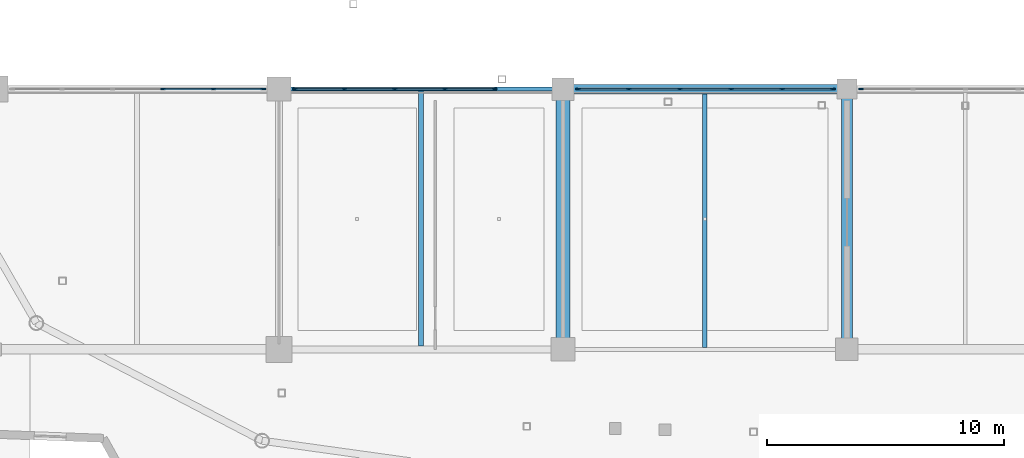
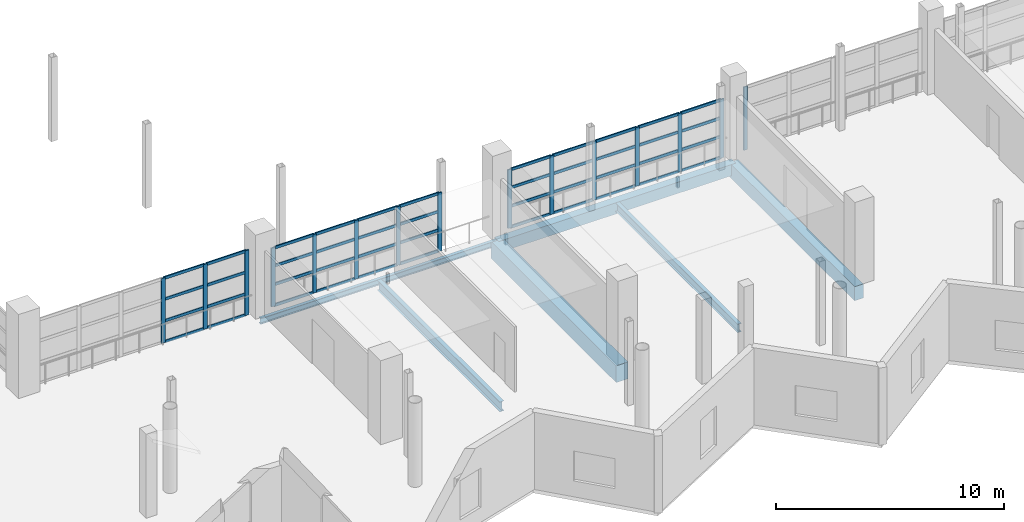
# One storey, part 34 of 118: 59 members, 6 beams, 4 elements without a shape of their own.
"""IFC4 building model written with IfcOpenShell, lengths in metres."""

from ifc_helpers import new_model, si_unit, direction, frame, origin, origin_2d, place, context, subcontext, project, spatial, rectangle, i_section, extrude, material, material_profile, profile_set, type_object, element, aggregate, save


model = new_model("IFC4")

# Units and contexts
model_context = context("Model", 3, precision=1e-05, world=origin(), true_north=direction((0.0, 1.0)))
body_context = subcontext(model_context, "Body", "Model", "MODEL_VIEW")
ifc_project = project(units=[si_unit("LENGTHUNIT", "METRE"), si_unit("AREAUNIT", "SQUARE_METRE"), si_unit("VOLUMEUNIT", "CUBIC_METRE"), si_unit("PLANEANGLEUNIT", "RADIAN"), si_unit("MASSUNIT", "GRAM", prefix="KILO")], contexts=[model_context])

# Site, building, storey
site_placement = place(None, origin())
site = spatial("IfcSite", under=ifc_project, at=site_placement, CompositionType="ELEMENT")
building_placement = place(site_placement, origin())
building = spatial("IfcBuilding", under=site, at=building_placement, Name="Luwafu Chhajja Arena", CompositionType="ELEMENT")
storey_placement = place(building_placement, frame((0.0, 0.0, 10.199951171875)))
storey = spatial("IfcBuildingStorey", under=building, at=storey_placement, Name="L02", CompositionType="ELEMENT", Elevation=10.199951171875)

# Curtain wall, members
ifc_material_1 = material(Name="Anodised bronze aluminium", Category="aluminium")
curtain_wall_type = type_object("IfcCurtainWallType", Name="Hospitality Ring Curtain Wall", PredefinedType="USERDEFINED", material=ifc_material_1)
curtain_wall_1_placement = place(storey_placement, origin())
curtain_wall_1 = element("IfcCurtainWall", 1, at=curtain_wall_1_placement, inside=storey, type_object=curtain_wall_type, Name="L02 Bowl Viewing Curtain Wall CWR-L02-01", ObjectType="CURTAIN WALL", PredefinedType="USERDEFINED")
ifc_material_profile_1 = material_profile(ifc_material_1, rectangle(XDim=0.06494140625, YDim=0.199951171875, at=origin_2d()), Name="CWM 65x200")
ifc_profile_set_1 = profile_set([ifc_material_profile_1], Name="Anodised bronze aluminium")
member_type_1 = type_object("IfcMemberType", Name="Bronze Curtain Wall Mullion 65x200", PredefinedType="MULLION", material=ifc_profile_set_1)
member_1_placement = place(storey_placement, frame((65.092041015625, 22.0, 0.0), z_axis=(0.0, 0.0, 1.0), x_axis=(0.0, 1.0, 0.0)))
member_1 = element("IfcMember", 2, at=member_1_placement, type_object=member_type_1, Name="CW-02 mullion 4", PredefinedType="MULLION", context=body_context, shape_type="SweptSolid", body=[
    extrude(rectangle(XDim=0.06494140625, YDim=0.199951171875, at=origin_2d()), origin(), (0.0, 0.0, 1.0), 3.469970703125),
])
member_2_placement = place(storey_placement, frame((67.22607421875, 22.0, 0.0), z_axis=(0.0, 0.0, 1.0), x_axis=(0.0, 1.0, 0.0)))
member_2 = element("IfcMember", 3, at=member_2_placement, type_object=member_type_1, Name="CW-02 mullion 5", PredefinedType="MULLION", context=body_context, shape_type="SweptSolid", body=[
    extrude(rectangle(XDim=0.06494140625, YDim=0.199951171875, at=origin_2d()), origin(), (0.0, 0.0, 1.0), 3.469970703125),
])
member_3_placement = place(storey_placement, frame((69.327392578125, 22.0, 0.0), z_axis=(0.0, 0.0, 1.0), x_axis=(0.0, 1.0, 0.0)))
member_3 = element("IfcMember", 4, at=member_3_placement, type_object=member_type_1, Name="CW-02 mullion 6", PredefinedType="MULLION", context=body_context, shape_type="SweptSolid", body=[
    extrude(rectangle(XDim=0.06494140625, YDim=0.199951171875, at=origin_2d()), origin(), (0.0, 0.0, 1.0), 3.469970703125),
])

curtain_wall_2_placement = place(storey_placement, origin())
curtain_wall_2 = element("IfcCurtainWall", 5, at=curtain_wall_2_placement, inside=storey, type_object=curtain_wall_type, Name="L02 Bowl Viewing Curtain Wall CWR-L02-02", ObjectType="CURTAIN WALL", PredefinedType="USERDEFINED")
member_4_placement = place(storey_placement, frame((70.672607421875, 22.0, 0.0), z_axis=(0.0, 0.0, 1.0), x_axis=(0.0, 1.0, 0.0)))
member_4 = element("IfcMember", 6, at=member_4_placement, type_object=member_type_1, Name="CW-02 mullion 1", PredefinedType="MULLION", context=body_context, shape_type="SweptSolid", body=[
    extrude(rectangle(XDim=0.06494140625, YDim=0.199951171875, at=origin_2d()), origin(), (0.0, 0.0, 1.0), 3.14013671875),
])
member_5_placement = place(storey_placement, frame((72.763427734375, 22.0, 0.0), z_axis=(0.0, 0.0, 1.0), x_axis=(0.0, 1.0, 0.0)))
member_5 = element("IfcMember", 7, at=member_5_placement, type_object=member_type_1, Name="CW-02 mullion 2", PredefinedType="MULLION", context=body_context, shape_type="SweptSolid", body=[
    extrude(rectangle(XDim=0.06494140625, YDim=0.199951171875, at=origin_2d()), origin(), (0.0, 0.0, 1.0), 3.14013671875),
])
member_6_placement = place(storey_placement, frame((74.88671875, 22.0, 0.0), z_axis=(0.0, 0.0, 1.0), x_axis=(0.0, 1.0, 0.0)))
member_6 = element("IfcMember", 8, at=member_6_placement, type_object=member_type_1, Name="CW-02 mullion 3", PredefinedType="MULLION", context=body_context, shape_type="SweptSolid", body=[
    extrude(rectangle(XDim=0.06494140625, YDim=0.199951171875, at=origin_2d()), origin(), (0.0, 0.0, 1.0), 3.14013671875),
])
member_7_placement = place(storey_placement, frame((77.010009765625, 22.0, 0.0), z_axis=(0.0, 0.0, 1.0), x_axis=(0.0, 1.0, 0.0)))
member_7 = element("IfcMember", 9, at=member_7_placement, type_object=member_type_1, Name="CW-02 mullion 4", PredefinedType="MULLION", context=body_context, shape_type="SweptSolid", body=[
    extrude(rectangle(XDim=0.06494140625, YDim=0.199951171875, at=origin_2d()), origin(), (0.0, 0.0, 1.0), 3.14013671875),
])
member_8_placement = place(storey_placement, frame((79.100830078125, 22.0, 0.0), z_axis=(0.0, 0.0, 1.0), x_axis=(0.0, 1.0, 0.0)))
member_8 = element("IfcMember", 10, at=member_8_placement, type_object=member_type_1, Name="CW-02 mullion 5", PredefinedType="MULLION", context=body_context, shape_type="SweptSolid", body=[
    extrude(rectangle(XDim=0.06494140625, YDim=0.199951171875, at=origin_2d()), origin(), (0.0, 0.0, 1.0), 3.14013671875),
])

curtain_wall_3_placement = place(storey_placement, origin())
curtain_wall_3 = element("IfcCurtainWall", 11, at=curtain_wall_3_placement, inside=storey, type_object=curtain_wall_type, Name="L02 Bowl Viewing Curtain Wall CWR-L02-03", ObjectType="CURTAIN WALL", PredefinedType="USERDEFINED")
member_9_placement = place(storey_placement, frame((82.6474609375, 22.0, 0.0), z_axis=(0.0, 0.0, 1.0), x_axis=(0.0, 1.0, 0.0)))
member_9 = element("IfcMember", 12, at=member_9_placement, type_object=member_type_1, Name="CW-02 mullion 1", PredefinedType="MULLION", context=body_context, shape_type="SweptSolid", body=[
    extrude(rectangle(XDim=0.06494140625, YDim=0.199951171875, at=origin_2d()), origin(), (0.0, 0.0, 1.0), 3.14013671875),
])
member_10_placement = place(storey_placement, frame((84.779052734375, 22.0, 0.0), z_axis=(0.0, 0.0, 1.0), x_axis=(0.0, 1.0, 0.0)))
member_10 = element("IfcMember", 13, at=member_10_placement, type_object=member_type_1, Name="CW-02 mullion 2", PredefinedType="MULLION", context=body_context, shape_type="SweptSolid", body=[
    extrude(rectangle(XDim=0.06494140625, YDim=0.199951171875, at=origin_2d()), origin(), (0.0, 0.0, 1.0), 3.14013671875),
])
member_11_placement = place(storey_placement, frame((86.943115234375, 22.0, 0.0), z_axis=(0.0, 0.0, 1.0), x_axis=(0.0, 1.0, 0.0)))
member_11 = element("IfcMember", 14, at=member_11_placement, type_object=member_type_1, Name="CW-02 mullion 3", PredefinedType="MULLION", context=body_context, shape_type="SweptSolid", body=[
    extrude(rectangle(XDim=0.06494140625, YDim=0.199951171875, at=origin_2d()), origin(), (0.0, 0.0, 1.0), 3.14013671875),
])
member_12_placement = place(storey_placement, frame((89.10693359375, 22.0, 0.0), z_axis=(0.0, 0.0, 1.0), x_axis=(0.0, 1.0, 0.0)))
member_12 = element("IfcMember", 15, at=member_12_placement, type_object=member_type_1, Name="CW-02 mullion 4", PredefinedType="MULLION", context=body_context, shape_type="SweptSolid", body=[
    extrude(rectangle(XDim=0.06494140625, YDim=0.199951171875, at=origin_2d()), origin(), (0.0, 0.0, 1.0), 3.14013671875),
])
member_13_placement = place(storey_placement, frame((91.27099609375, 22.0, 0.0), z_axis=(0.0, 0.0, 1.0), x_axis=(0.0, 1.0, 0.0)))
member_13 = element("IfcMember", 16, at=member_13_placement, type_object=member_type_1, Name="CW-02 mullion 5", PredefinedType="MULLION", context=body_context, shape_type="SweptSolid", body=[
    extrude(rectangle(XDim=0.06494140625, YDim=0.199951171875, at=origin_2d()), origin(), (0.0, 0.0, 1.0), 3.14013671875),
])
member_14_placement = place(storey_placement, frame((93.402587890625, 22.0, 0.0), z_axis=(0.0, 0.0, 1.0), x_axis=(0.0, 1.0, 0.0)))
member_14 = element("IfcMember", 17, at=member_14_placement, type_object=member_type_1, Name="CW-02 mullion 6", PredefinedType="MULLION", context=body_context, shape_type="SweptSolid", body=[
    extrude(rectangle(XDim=0.06494140625, YDim=0.199951171875, at=origin_2d()), origin(), (0.0, 0.0, 1.0), 3.14013671875),
])

# Curtain wall, member
curtain_wall_4_placement = place(storey_placement, origin())
curtain_wall_4 = element("IfcCurtainWall", 18, at=curtain_wall_4_placement, inside=storey, type_object=curtain_wall_type, Name="L02 Bowl Viewing Curtain Wall CWR-L02-04", ObjectType="CURTAIN WALL", PredefinedType="USERDEFINED")
member_15_placement = place(storey_placement, frame((94.597412109375, 22.0, 0.0), z_axis=(0.0, 0.0, 1.0), x_axis=(0.0, 1.0, 0.0)))
member_15 = element("IfcMember", 19, at=member_15_placement, type_object=member_type_1, Name="CW-02 mullion 1", PredefinedType="MULLION", context=body_context, shape_type="SweptSolid", body=[
    extrude(rectangle(XDim=0.06494140625, YDim=0.199951171875, at=origin_2d()), origin(), (0.0, 0.0, 1.0), 3.39013671875),
])
aggregate(curtain_wall_4, [member_15])

# Member
ifc_material_profile_2 = material_profile(ifc_material_1, rectangle(XDim=0.06494140625, YDim=0.14990234375, at=origin_2d()), Name="CWT 65x150")
ifc_profile_set_2 = profile_set([ifc_material_profile_2], Name="Anodised bronze aluminium")
member_type_2 = type_object("IfcMemberType", Name="Bronze Curtain Wall Transom 65x150", PredefinedType="USERDEFINED", material=ifc_profile_set_2)
member_16_placement = place(storey_placement, frame((65.12451171875, 22.0, 0.032470703125), z_axis=(1.0, 0.0, 0.0), x_axis=(0.0, 1.0, 0.0)))
member_16 = element("IfcMember", 20, at=member_16_placement, type_object=member_type_2, Name="CW-02 transom 4.1", ObjectType="TRANSOM", PredefinedType="USERDEFINED", context=body_context, shape_type="SweptSolid", body=[
    extrude(rectangle(XDim=0.06494140625, YDim=0.14990234375, at=origin_2d()), origin(), (0.0, 0.0, 1.0), 2.069091796875),
])

member_17_placement = place(storey_placement, frame((65.12451171875, 22.0, 1.150146484375), z_axis=(1.0, 0.0, 0.0), x_axis=(0.0, 1.0, 0.0)))
member_17 = element("IfcMember", 21, at=member_17_placement, type_object=member_type_2, Name="CW-02 transom 4.2", ObjectType="TRANSOM", PredefinedType="USERDEFINED", context=body_context, shape_type="SweptSolid", body=[
    extrude(rectangle(XDim=0.06494140625, YDim=0.14990234375, at=origin_2d()), origin(), (0.0, 0.0, 1.0), 2.069091796875),
])

member_18_placement = place(storey_placement, frame((65.12451171875, 22.0, 2.31005859375), z_axis=(1.0, 0.0, 0.0), x_axis=(0.0, 1.0, 0.0)))
member_18 = element("IfcMember", 22, at=member_18_placement, type_object=member_type_2, Name="CW-02 transom 4.3", ObjectType="TRANSOM", PredefinedType="USERDEFINED", context=body_context, shape_type="SweptSolid", body=[
    extrude(rectangle(XDim=0.06494140625, YDim=0.14990234375, at=origin_2d()), origin(), (0.0, 0.0, 1.0), 2.069091796875),
])

member_19_placement = place(storey_placement, frame((65.12451171875, 22.0, 3.437255859375), z_axis=(1.0, 0.0, 0.0), x_axis=(0.0, 1.0, 0.0)))
member_19 = element("IfcMember", 23, at=member_19_placement, type_object=member_type_2, Name="CW-02 transom 4.4", ObjectType="TRANSOM", PredefinedType="USERDEFINED", context=body_context, shape_type="SweptSolid", body=[
    extrude(rectangle(XDim=0.06494140625, YDim=0.14990234375, at=origin_2d()), origin(), (0.0, 0.0, 1.0), 2.069091796875),
])

member_20_placement = place(storey_placement, frame((67.258544921875, 22.0, 0.032470703125), z_axis=(1.0, 0.0, 0.0), x_axis=(0.0, 1.0, 0.0)))
member_20 = element("IfcMember", 24, at=member_20_placement, type_object=member_type_2, Name="CW-02 transom 5.1", ObjectType="TRANSOM", PredefinedType="USERDEFINED", context=body_context, shape_type="SweptSolid", body=[
    extrude(rectangle(XDim=0.06494140625, YDim=0.14990234375, at=origin_2d()), origin(), (0.0, 0.0, 1.0), 2.036376953125),
])

member_21_placement = place(storey_placement, frame((67.258544921875, 22.0, 1.150146484375), z_axis=(1.0, 0.0, 0.0), x_axis=(0.0, 1.0, 0.0)))
member_21 = element("IfcMember", 25, at=member_21_placement, type_object=member_type_2, Name="CW-02 transom 5.2", ObjectType="TRANSOM", PredefinedType="USERDEFINED", context=body_context, shape_type="SweptSolid", body=[
    extrude(rectangle(XDim=0.06494140625, YDim=0.14990234375, at=origin_2d()), origin(), (0.0, 0.0, 1.0), 2.036376953125),
])

member_22_placement = place(storey_placement, frame((67.258544921875, 22.0, 2.31005859375), z_axis=(1.0, 0.0, 0.0), x_axis=(0.0, 1.0, 0.0)))
member_22 = element("IfcMember", 26, at=member_22_placement, type_object=member_type_2, Name="CW-02 transom 5.3", ObjectType="TRANSOM", PredefinedType="USERDEFINED", context=body_context, shape_type="SweptSolid", body=[
    extrude(rectangle(XDim=0.06494140625, YDim=0.14990234375, at=origin_2d()), origin(), (0.0, 0.0, 1.0), 2.036376953125),
])

member_23_placement = place(storey_placement, frame((67.258544921875, 22.0, 3.437255859375), z_axis=(1.0, 0.0, 0.0), x_axis=(0.0, 1.0, 0.0)))
member_23 = element("IfcMember", 27, at=member_23_placement, type_object=member_type_2, Name="CW-02 transom 5.4", ObjectType="TRANSOM", PredefinedType="USERDEFINED", context=body_context, shape_type="SweptSolid", body=[
    extrude(rectangle(XDim=0.06494140625, YDim=0.14990234375, at=origin_2d()), origin(), (0.0, 0.0, 1.0), 2.036376953125),
])

aggregate(curtain_wall_1, [member_1, member_2, member_3, member_16, member_17, member_18, member_19, member_20, member_21, member_22, member_23])

member_24_placement = place(storey_placement, frame((70.705078125, 22.0, 0.032470703125), z_axis=(1.0, 0.0, 0.0), x_axis=(0.0, 1.0, 0.0)))
member_24 = element("IfcMember", 28, at=member_24_placement, type_object=member_type_2, Name="CW-02 transom 1.1", ObjectType="TRANSOM", PredefinedType="USERDEFINED", context=body_context, shape_type="SweptSolid", body=[
    extrude(rectangle(XDim=0.06494140625, YDim=0.14990234375, at=origin_2d()), origin(), (0.0, 0.0, 1.0), 2.02587890625),
])

member_25_placement = place(storey_placement, frame((70.705078125, 22.0, 1.150146484375), z_axis=(1.0, 0.0, 0.0), x_axis=(0.0, 1.0, 0.0)))
member_25 = element("IfcMember", 29, at=member_25_placement, type_object=member_type_2, Name="CW-02 transom 1.2", ObjectType="TRANSOM", PredefinedType="USERDEFINED", context=body_context, shape_type="SweptSolid", body=[
    extrude(rectangle(XDim=0.06494140625, YDim=0.14990234375, at=origin_2d()), origin(), (0.0, 0.0, 1.0), 2.02587890625),
])

member_26_placement = place(storey_placement, frame((70.705078125, 22.0, 2.14501953125), z_axis=(1.0, 0.0, 0.0), x_axis=(0.0, 1.0, 0.0)))
member_26 = element("IfcMember", 30, at=member_26_placement, type_object=member_type_2, Name="CW-02 transom 1.3", ObjectType="TRANSOM", PredefinedType="USERDEFINED", context=body_context, shape_type="SweptSolid", body=[
    extrude(rectangle(XDim=0.06494140625, YDim=0.14990234375, at=origin_2d()), origin(), (0.0, 0.0, 1.0), 2.02587890625),
])

member_27_placement = place(storey_placement, frame((70.705078125, 22.0, 3.107666015625), z_axis=(1.0, 0.0, 0.0), x_axis=(0.0, 1.0, 0.0)))
member_27 = element("IfcMember", 31, at=member_27_placement, type_object=member_type_2, Name="CW-02 transom 1.4", ObjectType="TRANSOM", PredefinedType="USERDEFINED", context=body_context, shape_type="SweptSolid", body=[
    extrude(rectangle(XDim=0.06494140625, YDim=0.14990234375, at=origin_2d()), origin(), (0.0, 0.0, 1.0), 2.02587890625),
])

member_28_placement = place(storey_placement, frame((72.7958984375, 22.0, 0.032470703125), z_axis=(1.0, 0.0, 0.0), x_axis=(0.0, 1.0, 0.0)))
member_28 = element("IfcMember", 32, at=member_28_placement, type_object=member_type_2, Name="CW-02 transom 2.1", ObjectType="TRANSOM", PredefinedType="USERDEFINED", context=body_context, shape_type="SweptSolid", body=[
    extrude(rectangle(XDim=0.06494140625, YDim=0.14990234375, at=origin_2d()), origin(), (0.0, 0.0, 1.0), 2.058349609375),
])

member_29_placement = place(storey_placement, frame((72.7958984375, 22.0, 1.150146484375), z_axis=(1.0, 0.0, 0.0), x_axis=(0.0, 1.0, 0.0)))
member_29 = element("IfcMember", 33, at=member_29_placement, type_object=member_type_2, Name="CW-02 transom 2.2", ObjectType="TRANSOM", PredefinedType="USERDEFINED", context=body_context, shape_type="SweptSolid", body=[
    extrude(rectangle(XDim=0.06494140625, YDim=0.14990234375, at=origin_2d()), origin(), (0.0, 0.0, 1.0), 2.058349609375),
])

member_30_placement = place(storey_placement, frame((72.7958984375, 22.0, 2.14501953125), z_axis=(1.0, 0.0, 0.0), x_axis=(0.0, 1.0, 0.0)))
member_30 = element("IfcMember", 34, at=member_30_placement, type_object=member_type_2, Name="CW-02 transom 2.3", ObjectType="TRANSOM", PredefinedType="USERDEFINED", context=body_context, shape_type="SweptSolid", body=[
    extrude(rectangle(XDim=0.06494140625, YDim=0.14990234375, at=origin_2d()), origin(), (0.0, 0.0, 1.0), 2.058349609375),
])

member_31_placement = place(storey_placement, frame((72.7958984375, 22.0, 3.107666015625), z_axis=(1.0, 0.0, 0.0), x_axis=(0.0, 1.0, 0.0)))
member_31 = element("IfcMember", 35, at=member_31_placement, type_object=member_type_2, Name="CW-02 transom 2.4", ObjectType="TRANSOM", PredefinedType="USERDEFINED", context=body_context, shape_type="SweptSolid", body=[
    extrude(rectangle(XDim=0.06494140625, YDim=0.14990234375, at=origin_2d()), origin(), (0.0, 0.0, 1.0), 2.058349609375),
])

member_32_placement = place(storey_placement, frame((74.919189453125, 22.0, 0.032470703125), z_axis=(1.0, 0.0, 0.0), x_axis=(0.0, 1.0, 0.0)))
member_32 = element("IfcMember", 36, at=member_32_placement, type_object=member_type_2, Name="CW-02 transom 3.1", ObjectType="TRANSOM", PredefinedType="USERDEFINED", context=body_context, shape_type="SweptSolid", body=[
    extrude(rectangle(XDim=0.06494140625, YDim=0.14990234375, at=origin_2d()), origin(), (0.0, 0.0, 1.0), 2.058349609375),
])

member_33_placement = place(storey_placement, frame((74.919189453125, 22.0, 1.150146484375), z_axis=(1.0, 0.0, 0.0), x_axis=(0.0, 1.0, 0.0)))
member_33 = element("IfcMember", 37, at=member_33_placement, type_object=member_type_2, Name="CW-02 transom 3.2", ObjectType="TRANSOM", PredefinedType="USERDEFINED", context=body_context, shape_type="SweptSolid", body=[
    extrude(rectangle(XDim=0.06494140625, YDim=0.14990234375, at=origin_2d()), origin(), (0.0, 0.0, 1.0), 2.058349609375),
])

member_34_placement = place(storey_placement, frame((74.919189453125, 22.0, 2.14501953125), z_axis=(1.0, 0.0, 0.0), x_axis=(0.0, 1.0, 0.0)))
member_34 = element("IfcMember", 38, at=member_34_placement, type_object=member_type_2, Name="CW-02 transom 3.3", ObjectType="TRANSOM", PredefinedType="USERDEFINED", context=body_context, shape_type="SweptSolid", body=[
    extrude(rectangle(XDim=0.06494140625, YDim=0.14990234375, at=origin_2d()), origin(), (0.0, 0.0, 1.0), 2.058349609375),
])

member_35_placement = place(storey_placement, frame((74.919189453125, 22.0, 3.107666015625), z_axis=(1.0, 0.0, 0.0), x_axis=(0.0, 1.0, 0.0)))
member_35 = element("IfcMember", 39, at=member_35_placement, type_object=member_type_2, Name="CW-02 transom 3.4", ObjectType="TRANSOM", PredefinedType="USERDEFINED", context=body_context, shape_type="SweptSolid", body=[
    extrude(rectangle(XDim=0.06494140625, YDim=0.14990234375, at=origin_2d()), origin(), (0.0, 0.0, 1.0), 2.058349609375),
])

member_36_placement = place(storey_placement, frame((77.04248046875, 22.0, 0.032470703125), z_axis=(1.0, 0.0, 0.0), x_axis=(0.0, 1.0, 0.0)))
member_36 = element("IfcMember", 40, at=member_36_placement, type_object=member_type_2, Name="CW-02 transom 4.1", ObjectType="TRANSOM", PredefinedType="USERDEFINED", context=body_context, shape_type="SweptSolid", body=[
    extrude(rectangle(XDim=0.06494140625, YDim=0.14990234375, at=origin_2d()), origin(), (0.0, 0.0, 1.0), 2.02587890625),
])

member_37_placement = place(storey_placement, frame((77.04248046875, 22.0, 1.150146484375), z_axis=(1.0, 0.0, 0.0), x_axis=(0.0, 1.0, 0.0)))
member_37 = element("IfcMember", 41, at=member_37_placement, type_object=member_type_2, Name="CW-02 transom 4.2", ObjectType="TRANSOM", PredefinedType="USERDEFINED", context=body_context, shape_type="SweptSolid", body=[
    extrude(rectangle(XDim=0.06494140625, YDim=0.14990234375, at=origin_2d()), origin(), (0.0, 0.0, 1.0), 2.02587890625),
])

member_38_placement = place(storey_placement, frame((77.04248046875, 22.0, 2.14501953125), z_axis=(1.0, 0.0, 0.0), x_axis=(0.0, 1.0, 0.0)))
member_38 = element("IfcMember", 42, at=member_38_placement, type_object=member_type_2, Name="CW-02 transom 4.3", ObjectType="TRANSOM", PredefinedType="USERDEFINED", context=body_context, shape_type="SweptSolid", body=[
    extrude(rectangle(XDim=0.06494140625, YDim=0.14990234375, at=origin_2d()), origin(), (0.0, 0.0, 1.0), 2.02587890625),
])

member_39_placement = place(storey_placement, frame((77.04248046875, 22.0, 3.107666015625), z_axis=(1.0, 0.0, 0.0), x_axis=(0.0, 1.0, 0.0)))
member_39 = element("IfcMember", 43, at=member_39_placement, type_object=member_type_2, Name="CW-02 transom 4.4", ObjectType="TRANSOM", PredefinedType="USERDEFINED", context=body_context, shape_type="SweptSolid", body=[
    extrude(rectangle(XDim=0.06494140625, YDim=0.14990234375, at=origin_2d()), origin(), (0.0, 0.0, 1.0), 2.02587890625),
])

aggregate(curtain_wall_2, [member_4, member_5, member_6, member_7, member_8, member_24, member_25, member_26, member_27, member_28, member_29, member_30, member_31, member_32, member_33, member_34, member_35, member_36, member_37, member_38, member_39])

member_40_placement = place(storey_placement, frame((82.679931640625, 22.0, 0.032470703125), z_axis=(1.0, 0.0, 0.0), x_axis=(0.0, 1.0, 0.0)))
member_40 = element("IfcMember", 44, at=member_40_placement, type_object=member_type_2, Name="CW-02 transom 1.1", ObjectType="TRANSOM", PredefinedType="USERDEFINED", context=body_context, shape_type="SweptSolid", body=[
    extrude(rectangle(XDim=0.06494140625, YDim=0.14990234375, at=origin_2d()), origin(), (0.0, 0.0, 1.0), 2.066650390625),
])

member_41_placement = place(storey_placement, frame((82.679931640625, 22.0, 1.150146484375), z_axis=(1.0, 0.0, 0.0), x_axis=(0.0, 1.0, 0.0)))
member_41 = element("IfcMember", 45, at=member_41_placement, type_object=member_type_2, Name="CW-02 transom 1.2", ObjectType="TRANSOM", PredefinedType="USERDEFINED", context=body_context, shape_type="SweptSolid", body=[
    extrude(rectangle(XDim=0.06494140625, YDim=0.14990234375, at=origin_2d()), origin(), (0.0, 0.0, 1.0), 2.066650390625),
])

member_42_placement = place(storey_placement, frame((82.679931640625, 22.0, 2.14501953125), z_axis=(1.0, 0.0, 0.0), x_axis=(0.0, 1.0, 0.0)))
member_42 = element("IfcMember", 46, at=member_42_placement, type_object=member_type_2, Name="CW-02 transom 1.3", ObjectType="TRANSOM", PredefinedType="USERDEFINED", context=body_context, shape_type="SweptSolid", body=[
    extrude(rectangle(XDim=0.06494140625, YDim=0.14990234375, at=origin_2d()), origin(), (0.0, 0.0, 1.0), 2.066650390625),
])

member_43_placement = place(storey_placement, frame((82.679931640625, 22.0, 3.107666015625), z_axis=(1.0, 0.0, 0.0), x_axis=(0.0, 1.0, 0.0)))
member_43 = element("IfcMember", 47, at=member_43_placement, type_object=member_type_2, Name="CW-02 transom 1.4", ObjectType="TRANSOM", PredefinedType="USERDEFINED", context=body_context, shape_type="SweptSolid", body=[
    extrude(rectangle(XDim=0.06494140625, YDim=0.14990234375, at=origin_2d()), origin(), (0.0, 0.0, 1.0), 2.066650390625),
])

member_44_placement = place(storey_placement, frame((84.8115234375, 22.0, 0.032470703125), z_axis=(1.0, 0.0, 0.0), x_axis=(0.0, 1.0, 0.0)))
member_44 = element("IfcMember", 48, at=member_44_placement, type_object=member_type_2, Name="CW-02 transom 2.1", ObjectType="TRANSOM", PredefinedType="USERDEFINED", context=body_context, shape_type="SweptSolid", body=[
    extrude(rectangle(XDim=0.06494140625, YDim=0.14990234375, at=origin_2d()), origin(), (0.0, 0.0, 1.0), 2.098876953125),
])

member_45_placement = place(storey_placement, frame((84.8115234375, 22.0, 1.150146484375), z_axis=(1.0, 0.0, 0.0), x_axis=(0.0, 1.0, 0.0)))
member_45 = element("IfcMember", 49, at=member_45_placement, type_object=member_type_2, Name="CW-02 transom 2.2", ObjectType="TRANSOM", PredefinedType="USERDEFINED", context=body_context, shape_type="SweptSolid", body=[
    extrude(rectangle(XDim=0.06494140625, YDim=0.14990234375, at=origin_2d()), origin(), (0.0, 0.0, 1.0), 2.098876953125),
])

member_46_placement = place(storey_placement, frame((84.8115234375, 22.0, 2.14501953125), z_axis=(1.0, 0.0, 0.0), x_axis=(0.0, 1.0, 0.0)))
member_46 = element("IfcMember", 50, at=member_46_placement, type_object=member_type_2, Name="CW-02 transom 2.3", ObjectType="TRANSOM", PredefinedType="USERDEFINED", context=body_context, shape_type="SweptSolid", body=[
    extrude(rectangle(XDim=0.06494140625, YDim=0.14990234375, at=origin_2d()), origin(), (0.0, 0.0, 1.0), 2.098876953125),
])

member_47_placement = place(storey_placement, frame((84.8115234375, 22.0, 3.107666015625), z_axis=(1.0, 0.0, 0.0), x_axis=(0.0, 1.0, 0.0)))
member_47 = element("IfcMember", 51, at=member_47_placement, type_object=member_type_2, Name="CW-02 transom 2.4", ObjectType="TRANSOM", PredefinedType="USERDEFINED", context=body_context, shape_type="SweptSolid", body=[
    extrude(rectangle(XDim=0.06494140625, YDim=0.14990234375, at=origin_2d()), origin(), (0.0, 0.0, 1.0), 2.098876953125),
])

member_48_placement = place(storey_placement, frame((86.9755859375, 22.0, 0.032470703125), z_axis=(1.0, 0.0, 0.0), x_axis=(0.0, 1.0, 0.0)))
member_48 = element("IfcMember", 52, at=member_48_placement, type_object=member_type_2, Name="CW-02 transom 3.1", ObjectType="TRANSOM", PredefinedType="USERDEFINED", context=body_context, shape_type="SweptSolid", body=[
    extrude(rectangle(XDim=0.06494140625, YDim=0.14990234375, at=origin_2d()), origin(), (0.0, 0.0, 1.0), 2.098876953125),
])

member_49_placement = place(storey_placement, frame((86.9755859375, 22.0, 1.150146484375), z_axis=(1.0, 0.0, 0.0), x_axis=(0.0, 1.0, 0.0)))
member_49 = element("IfcMember", 53, at=member_49_placement, type_object=member_type_2, Name="CW-02 transom 3.2", ObjectType="TRANSOM", PredefinedType="USERDEFINED", context=body_context, shape_type="SweptSolid", body=[
    extrude(rectangle(XDim=0.06494140625, YDim=0.14990234375, at=origin_2d()), origin(), (0.0, 0.0, 1.0), 2.098876953125),
])

member_50_placement = place(storey_placement, frame((86.9755859375, 22.0, 2.14501953125), z_axis=(1.0, 0.0, 0.0), x_axis=(0.0, 1.0, 0.0)))
member_50 = element("IfcMember", 54, at=member_50_placement, type_object=member_type_2, Name="CW-02 transom 3.3", ObjectType="TRANSOM", PredefinedType="USERDEFINED", context=body_context, shape_type="SweptSolid", body=[
    extrude(rectangle(XDim=0.06494140625, YDim=0.14990234375, at=origin_2d()), origin(), (0.0, 0.0, 1.0), 2.098876953125),
])

member_51_placement = place(storey_placement, frame((86.9755859375, 22.0, 3.107666015625), z_axis=(1.0, 0.0, 0.0), x_axis=(0.0, 1.0, 0.0)))
member_51 = element("IfcMember", 55, at=member_51_placement, type_object=member_type_2, Name="CW-02 transom 3.4", ObjectType="TRANSOM", PredefinedType="USERDEFINED", context=body_context, shape_type="SweptSolid", body=[
    extrude(rectangle(XDim=0.06494140625, YDim=0.14990234375, at=origin_2d()), origin(), (0.0, 0.0, 1.0), 2.098876953125),
])

member_52_placement = place(storey_placement, frame((89.139404296875, 22.0, 0.032470703125), z_axis=(1.0, 0.0, 0.0), x_axis=(0.0, 1.0, 0.0)))
member_52 = element("IfcMember", 56, at=member_52_placement, type_object=member_type_2, Name="CW-02 transom 4.1", ObjectType="TRANSOM", PredefinedType="USERDEFINED", context=body_context, shape_type="SweptSolid", body=[
    extrude(rectangle(XDim=0.06494140625, YDim=0.14990234375, at=origin_2d()), origin(), (0.0, 0.0, 1.0), 2.09912109375),
])

member_53_placement = place(storey_placement, frame((89.139404296875, 22.0, 1.150146484375), z_axis=(1.0, 0.0, 0.0), x_axis=(0.0, 1.0, 0.0)))
member_53 = element("IfcMember", 57, at=member_53_placement, type_object=member_type_2, Name="CW-02 transom 4.2", ObjectType="TRANSOM", PredefinedType="USERDEFINED", context=body_context, shape_type="SweptSolid", body=[
    extrude(rectangle(XDim=0.06494140625, YDim=0.14990234375, at=origin_2d()), origin(), (0.0, 0.0, 1.0), 2.09912109375),
])

member_54_placement = place(storey_placement, frame((89.139404296875, 22.0, 2.14501953125), z_axis=(1.0, 0.0, 0.0), x_axis=(0.0, 1.0, 0.0)))
member_54 = element("IfcMember", 58, at=member_54_placement, type_object=member_type_2, Name="CW-02 transom 4.3", ObjectType="TRANSOM", PredefinedType="USERDEFINED", context=body_context, shape_type="SweptSolid", body=[
    extrude(rectangle(XDim=0.06494140625, YDim=0.14990234375, at=origin_2d()), origin(), (0.0, 0.0, 1.0), 2.09912109375),
])

member_55_placement = place(storey_placement, frame((89.139404296875, 22.0, 3.107666015625), z_axis=(1.0, 0.0, 0.0), x_axis=(0.0, 1.0, 0.0)))
member_55 = element("IfcMember", 59, at=member_55_placement, type_object=member_type_2, Name="CW-02 transom 4.4", ObjectType="TRANSOM", PredefinedType="USERDEFINED", context=body_context, shape_type="SweptSolid", body=[
    extrude(rectangle(XDim=0.06494140625, YDim=0.14990234375, at=origin_2d()), origin(), (0.0, 0.0, 1.0), 2.09912109375),
])

member_56_placement = place(storey_placement, frame((91.303466796875, 22.0, 0.032470703125), z_axis=(1.0, 0.0, 0.0), x_axis=(0.0, 1.0, 0.0)))
member_56 = element("IfcMember", 60, at=member_56_placement, type_object=member_type_2, Name="CW-02 transom 5.1", ObjectType="TRANSOM", PredefinedType="USERDEFINED", context=body_context, shape_type="SweptSolid", body=[
    extrude(rectangle(XDim=0.06494140625, YDim=0.14990234375, at=origin_2d()), origin(), (0.0, 0.0, 1.0), 2.066650390625),
])

member_57_placement = place(storey_placement, frame((91.303466796875, 22.0, 1.150146484375), z_axis=(1.0, 0.0, 0.0), x_axis=(0.0, 1.0, 0.0)))
member_57 = element("IfcMember", 61, at=member_57_placement, type_object=member_type_2, Name="CW-02 transom 5.2", ObjectType="TRANSOM", PredefinedType="USERDEFINED", context=body_context, shape_type="SweptSolid", body=[
    extrude(rectangle(XDim=0.06494140625, YDim=0.14990234375, at=origin_2d()), origin(), (0.0, 0.0, 1.0), 2.066650390625),
])

member_58_placement = place(storey_placement, frame((91.303466796875, 22.0, 2.14501953125), z_axis=(1.0, 0.0, 0.0), x_axis=(0.0, 1.0, 0.0)))
member_58 = element("IfcMember", 62, at=member_58_placement, type_object=member_type_2, Name="CW-02 transom 5.3", ObjectType="TRANSOM", PredefinedType="USERDEFINED", context=body_context, shape_type="SweptSolid", body=[
    extrude(rectangle(XDim=0.06494140625, YDim=0.14990234375, at=origin_2d()), origin(), (0.0, 0.0, 1.0), 2.066650390625),
])

member_59_placement = place(storey_placement, frame((91.303466796875, 22.0, 3.107666015625), z_axis=(1.0, 0.0, 0.0), x_axis=(0.0, 1.0, 0.0)))
member_59 = element("IfcMember", 63, at=member_59_placement, type_object=member_type_2, Name="CW-02 transom 5.4", ObjectType="TRANSOM", PredefinedType="USERDEFINED", context=body_context, shape_type="SweptSolid", body=[
    extrude(rectangle(XDim=0.06494140625, YDim=0.14990234375, at=origin_2d()), origin(), (0.0, 0.0, 1.0), 2.066650390625),
])

aggregate(curtain_wall_3, [member_9, member_10, member_11, member_12, member_13, member_14, member_40, member_41, member_42, member_43, member_44, member_45, member_46, member_47, member_48, member_49, member_50, member_51, member_52, member_53, member_54, member_55, member_56, member_57, member_58, member_59])

# Beams
ifc_material_2 = material(Name="Steel S355", Category="steel")
ifc_material_profile_3 = material_profile(ifc_material_2, i_section(OverallWidth=0.165771484375, OverallDepth=0.306640625, WebThickness=0.006591796875, FlangeThickness=0.01171875, at=origin_2d()), Name="UB 305x165x46")
ifc_profile_set_3 = profile_set([ifc_material_profile_3], Name="Steel S355")
beam_type_1 = type_object("IfcBeamType", Name="Concourse Edge Spandrel Beam UB 305x165x46", PredefinedType="SPANDREL", material=ifc_profile_set_3)
beam_1_placement = place(storey_placement, frame((70.0, 22.0, -0.543212890625), z_axis=(1.0, 0.0, 0.0), x_axis=(0.0, 1.0, 0.0)))
element("IfcBeam", 64, at=beam_1_placement, inside=storey, type_object=beam_type_1, Name="L02 Grid Beam 7-8/C", PredefinedType="SPANDREL", context=body_context, shape_type="SweptSolid", body=[
    extrude(i_section(OverallWidth=0.165771484375, OverallDepth=0.306640625, WebThickness=0.006591796875, FlangeThickness=0.01171875, at=origin_2d()), origin(), (0.0, 0.0, 1.0), 12.0),
])
ifc_material_3 = material(Name="Concrete C35/45", Category="concrete")
ifc_material_profile_4 = material_profile(ifc_material_3, rectangle(XDim=0.60009765625, YDim=0.89990234375, at=origin_2d()), Name="RC 600x900")
ifc_profile_set_4 = profile_set([ifc_material_profile_4], Name="Concrete C35/45")
beam_type_2 = type_object("IfcBeamType", Name="Concourse Primary Girder RC 600x900", PredefinedType="BEAM", material=ifc_profile_set_4)
beam_2_placement = place(storey_placement, frame((82.0, 11.0, -0.83984375), z_axis=(0.0, 1.0, 0.0), x_axis=(-1.0, 0.0, 0.0)))
element("IfcBeam", 65, at=beam_2_placement, inside=storey, type_object=beam_type_2, Name="L02 Grid Beam 8/B-C", PredefinedType="BEAM", context=body_context, shape_type="SweptSolid", body=[
    extrude(rectangle(XDim=0.60009765625, YDim=0.89990234375, at=origin_2d()), origin(), (0.0, 0.0, 1.0), 11.0),
])
ifc_material_profile_5 = material_profile(ifc_material_2, i_section(OverallWidth=0.19140625, OverallDepth=0.4599609375, WebThickness=0.010009765625, FlangeThickness=0.01611328125, at=origin_2d()), Name="UB 457x191x82")
ifc_profile_set_5 = profile_set([ifc_material_profile_5], Name="Steel S355")
beam_type_3 = type_object("IfcBeamType", Name="Floor Joist UB 457x191x82", PredefinedType="JOIST", material=ifc_profile_set_5)
beam_3_placement = place(storey_placement, frame((88.0, 11.0830078125, -0.619873046875), z_axis=(0.0, 1.0, 0.0), x_axis=(-1.0, 0.0, 0.0)))
element("IfcBeam", 66, at=beam_3_placement, inside=storey, type_object=beam_type_3, Name="L02 Secondary Joist 8-9/B", PredefinedType="JOIST", context=body_context, shape_type="SweptSolid", body=[
    extrude(i_section(OverallWidth=0.19140625, OverallDepth=0.4599609375, WebThickness=0.010009765625, FlangeThickness=0.01611328125, at=origin_2d()), origin(), (0.0, 0.0, 1.0), 10.717041015625),
])
ifc_material_profile_6 = material_profile(ifc_material_2, i_section(OverallWidth=0.209228515625, OverallDepth=0.533203125, WebThickness=0.010009765625, FlangeThickness=0.015625, at=origin_2d()), Name="UB 533x210x92")
ifc_profile_set_6 = profile_set([ifc_material_profile_6], Name="Steel S355")
beam_type_4 = type_object("IfcBeamType", Name="Floor Joist UB 533x210x92", PredefinedType="JOIST", material=ifc_profile_set_6)
beam_4_placement = place(storey_placement, frame((76.0, 11.14990234375, -0.656494140625), z_axis=(0.0, 1.0, 0.0), x_axis=(-1.0, 0.0, 0.0)))
element("IfcBeam", 67, at=beam_4_placement, inside=storey, type_object=beam_type_4, Name="L02 Secondary Joist 7-8/B", PredefinedType="JOIST", context=body_context, shape_type="SweptSolid", body=[
    extrude(i_section(OverallWidth=0.209228515625, OverallDepth=0.533203125, WebThickness=0.010009765625, FlangeThickness=0.015625, at=origin_2d()), origin(), (0.0, 0.0, 1.0), 10.76708984375),
])
ifc_material_profile_7 = material_profile(ifc_material_3, rectangle(XDim=0.39990234375, YDim=0.60009765625, at=origin_2d()), Name="RC 400x600")
ifc_profile_set_7 = profile_set([ifc_material_profile_7], Name="Concrete C35/45")
beam_type_5 = type_object("IfcBeamType", Name="Podium Perimeter Spandrel RC 400x600", PredefinedType="SPANDREL", material=ifc_profile_set_7)
beam_5_placement = place(storey_placement, frame((82.0, 22.0, -0.68994140625), z_axis=(1.0, 0.0, 0.0), x_axis=(0.0, 1.0, 0.0)))
element("IfcBeam", 68, at=beam_5_placement, inside=storey, type_object=beam_type_5, Name="L02 Grid Beam 8-9/C", PredefinedType="SPANDREL", context=body_context, shape_type="SweptSolid", body=[
    extrude(rectangle(XDim=0.39990234375, YDim=0.60009765625, at=origin_2d()), origin(), (0.0, 0.0, 1.0), 12.0),
])
ifc_material_profile_8 = material_profile(ifc_material_3, rectangle(XDim=0.449951171875, YDim=0.75, at=origin_2d()), Name="RC 450x750")
ifc_profile_set_8 = profile_set([ifc_material_profile_8], Name="Concrete C35/45")
beam_type_6 = type_object("IfcBeamType", Name="Wing Primary Beam RC 450x750", PredefinedType="BEAM", material=ifc_profile_set_8)
beam_6_placement = place(storey_placement, frame((94.0, 11.0, -0.764892578125), z_axis=(0.0, 1.0, 0.0), x_axis=(-1.0, 0.0, 0.0)))
element("IfcBeam", 69, at=beam_6_placement, inside=storey, type_object=beam_type_6, Name="L02 Grid Beam 9/B-C", PredefinedType="BEAM", context=body_context, shape_type="SweptSolid", body=[
    extrude(rectangle(XDim=0.449951171875, YDim=0.75, at=origin_2d()), origin(), (0.0, 0.0, 1.0), 11.0),
])

save(model, "model.ifc")
